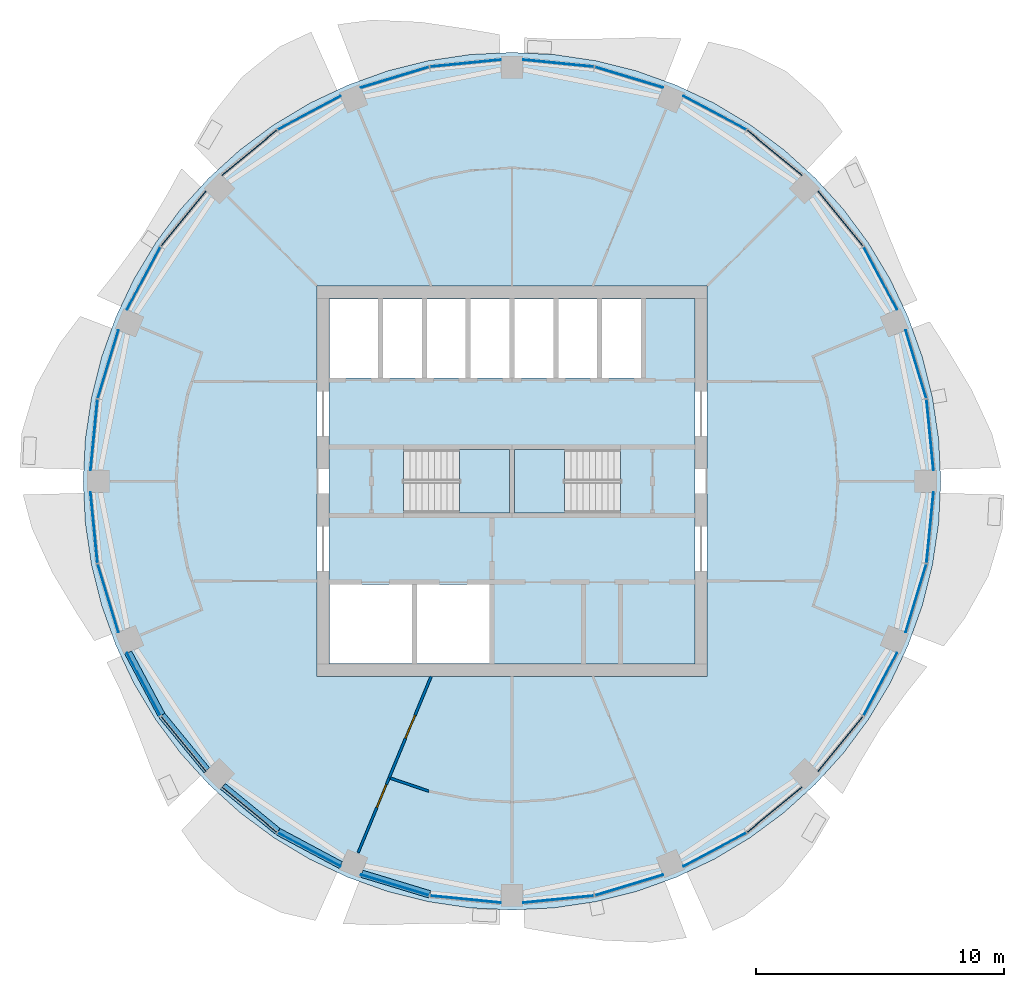
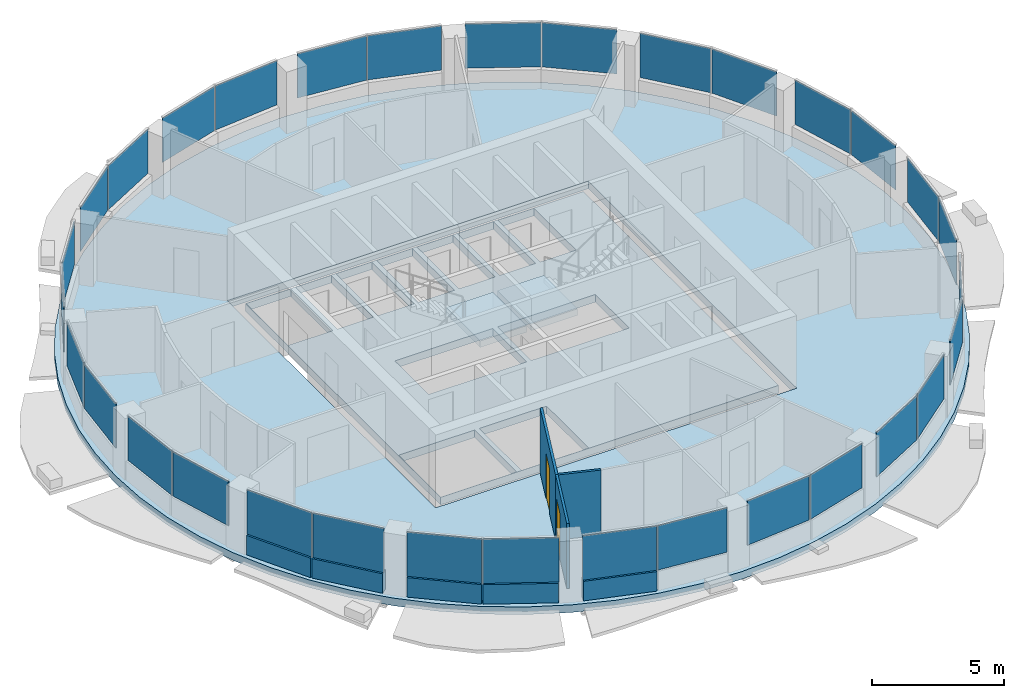
# One storey, part 7 of 15: 32 plates, 8 walls, 4 slabs, 2 doors, 2 openings, 18 elements without a shape of their own.
"""IFC4 building model written with IfcOpenShell, lengths in metres."""

from ifc_helpers import new_model, si_unit, direction, frame, frame_2d, origin, origin_2d, place, context, subcontext, project, spatial, polyline, rectangle, outline, extrude, material, layer, layer_set, type_object, element, fill, aggregate, save


model = new_model("IFC4")

# Units and contexts
model_context = context("Model", 3, precision=1e-05, world=origin(), true_north=direction((0.0, 1.0)))
body_context = subcontext(model_context, "Body", "Model", "MODEL_VIEW")
ifc_project = project(units=[si_unit("LENGTHUNIT", "METRE"), si_unit("AREAUNIT", "SQUARE_METRE"), si_unit("VOLUMEUNIT", "CUBIC_METRE"), si_unit("PLANEANGLEUNIT", "RADIAN"), si_unit("MASSUNIT", "GRAM", prefix="KILO")], contexts=[model_context])

# Site, building, storey
site_placement = place(None, origin())
site = spatial("IfcSite", under=ifc_project, at=site_placement, CompositionType="ELEMENT")
building_placement = place(site_placement, origin())
building = spatial("IfcBuilding", under=site, at=building_placement, Name="Polderwave Tower", CompositionType="ELEMENT")
storey_placement = place(building_placement, frame((0.0, 0.0, 201.050048828125)))
storey = spatial("IfcBuildingStorey", under=building, at=storey_placement, Name="L54", CompositionType="ELEMENT", Elevation=201.050048828125)

# Slab
ifc_material_1 = material(Name="Concrete C40/50", Category="concrete")
ifc_layer_1 = layer(ifc_material_1, 0.35009765625)
ifc_layer_set_1 = layer_set([ifc_layer_1], Name="Core floor slab 350")
slab_type_1 = type_object("IfcSlabType", Name="Core floor slab 350", PredefinedType="FLOOR", material=ifc_layer_set_1)
slab_1_placement = place(storey_placement, frame((0.0, 0.0, -0.35009765625)))
element("IfcSlab", 1, at=slab_1_placement, inside=storey, type_object=slab_type_1, Name="L54 core floor", PredefinedType="FLOOR", context=body_context, shape_type="SweptSolid", body=[
    extrude(outline(polyline([(-7.3740234375, -7.3740234375), (7.3740234375, -7.3740234375), (7.3740234375, 7.3740234375), (-7.3740234375, 7.3740234375), (-7.3740234375, -7.3740234375)]), holes=[polyline([(-7.35400390625, -7.35400390625), (-4.037109375, -7.35400390625), (-4.037109375, -4.174072265625), (-7.35400390625, -4.174072265625), (-7.35400390625, -7.35400390625)]), polyline([(-3.8369140625, -7.35400390625), (-0.89990234375, -7.35400390625), (-0.89990234375, -4.174072265625), (-3.8369140625, -4.174072265625), (-3.8369140625, -7.35400390625)]), polyline([(-7.35400390625, 4.174072265625), (-5.405517578125, 4.174072265625), (-5.405517578125, 7.35400390625), (-7.35400390625, 7.35400390625), (-7.35400390625, 4.174072265625)]), polyline([(-5.20556640625, 4.174072265625), (-3.636962890625, 4.174072265625), (-3.636962890625, 7.35400390625), (-5.20556640625, 7.35400390625), (-5.20556640625, 4.174072265625)]), polyline([(-3.43701171875, 4.174072265625), (-1.868408203125, 4.174072265625), (-1.868408203125, 7.35400390625), (-3.43701171875, 7.35400390625), (-3.43701171875, 4.174072265625)]), polyline([(-1.66845703125, 4.174072265625), (-0.10009765625, 4.174072265625), (-0.10009765625, 7.35400390625), (-1.66845703125, 7.35400390625), (-1.66845703125, 4.174072265625)]), polyline([(0.10009765625, 4.174072265625), (1.66845703125, 4.174072265625), (1.66845703125, 7.35400390625), (0.10009765625, 7.35400390625), (0.10009765625, 4.174072265625)]), polyline([(1.868408203125, 4.174072265625), (3.43701171875, 4.174072265625), (3.43701171875, 7.35400390625), (1.868408203125, 7.35400390625), (1.868408203125, 4.174072265625)]), polyline([(3.636962890625, 4.174072265625), (5.20556640625, 4.174072265625), (5.20556640625, 7.35400390625), (3.636962890625, 7.35400390625), (3.636962890625, 4.174072265625)]), polyline([(-4.37353515625, -1.2744140625), (-0.1005859375, -1.2744140625), (-0.1005859375, 1.2744140625), (-4.37353515625, 1.2744140625), (-4.37353515625, -1.2744140625)]), polyline([(0.1005859375, -1.2744140625), (4.37353515625, -1.2744140625), (4.37353515625, 1.2744140625), (0.1005859375, 1.2744140625), (0.1005859375, -1.2744140625)])]), origin(), (0.0, 0.0, 1.0), 0.35009765625),
])

# Curtain wall, plates
ifc_material_2 = material(Name="Aluminium 6063-T6 and glass", Category="aluminium")
curtain_wall_type = type_object("IfcCurtainWallType", Name="Office ribbon glazing wall", PredefinedType="NOTDEFINED", material=ifc_material_2)
curtain_wall_1_placement = place(storey_placement, origin())
curtain_wall_1 = element("IfcCurtainWall", 2, at=curtain_wall_1_placement, inside=storey, type_object=curtain_wall_type, Name="CW3 L54 00", PredefinedType="NOTDEFINED")
ifc_material_3 = material(Name="Glass, low-e laminated double glazing", Category="glass")
ifc_layer_2 = layer(ifc_material_3, 0.031982421875)
ifc_layer_set_2 = layer_set([ifc_layer_2], Name="Office ribbon glazing glass panel 32 mm")
plate_type = type_object("IfcPlateType", Name="Office ribbon glazing glass panel 32 mm", PredefinedType="CURTAIN_PANEL", material=ifc_layer_set_2)
plate_1_placement = place(storey_placement, frame((16.865478515625, 1.874267578125, 0.89990234375), z_axis=(0.0, 0.0, 1.0), x_axis=(-0.098270728197, 0.995159717824, 0.0)))
plate_1 = element("IfcPlate", 3, at=plate_1_placement, type_object=plate_type, Name="CW3 panel 1", PredefinedType="CURTAIN_PANEL", context=body_context, shape_type="SweptSolid", body=[
    extrude(rectangle(XDim=2.862548828125, YDim=0.031982421875, at=origin_2d()), origin(), (0.0, 0.0, 1.0), 2.0400390625),
])
plate_2_placement = place(storey_placement, frame((16.298583984375, 4.72216796875, 0.89990234375), z_axis=(0.0, 0.0, 1.0), x_axis=(-0.290266305265, 0.956945908622, 0.0)))
plate_2 = element("IfcPlate", 4, at=plate_2_placement, type_object=plate_type, Name="CW3 panel 2", PredefinedType="CURTAIN_PANEL", context=body_context, shape_type="SweptSolid", body=[
    extrude(rectangle(XDim=2.86279296875, YDim=0.031982421875, at=origin_2d()), origin(), (0.0, 0.0, 1.0), 2.0400390625),
])
aggregate(curtain_wall_1, [plate_1, plate_2])

curtain_wall_2_placement = place(storey_placement, origin())
curtain_wall_2 = element("IfcCurtainWall", 5, at=curtain_wall_2_placement, inside=storey, type_object=curtain_wall_type, Name="CW3 L54 01", PredefinedType="NOTDEFINED")
plate_3_placement = place(storey_placement, frame((14.864501953125, 8.185791015625, 0.89990234375), z_axis=(0.0, 0.0, 1.0), x_axis=(-0.471413668412, 0.881912214018, 0.0)))
plate_3 = element("IfcPlate", 6, at=plate_3_placement, type_object=plate_type, Name="CW3 panel 1", PredefinedType="CURTAIN_PANEL", context=body_context, shape_type="SweptSolid", body=[
    extrude(rectangle(XDim=2.86181640625, YDim=0.031982421875, at=origin_2d()), origin(), (0.0, 0.0, 1.0), 2.0400390625),
])
plate_4_placement = place(storey_placement, frame((13.251220703125, 10.60009765625, 0.89990234375), z_axis=(0.0, 0.0, 1.0), x_axis=(-0.634348760905, 0.773046990511, 0.0)))
plate_4 = element("IfcPlate", 7, at=plate_4_placement, type_object=plate_type, Name="CW3 panel 2", PredefinedType="CURTAIN_PANEL", context=body_context, shape_type="SweptSolid", body=[
    extrude(rectangle(XDim=2.86376953125, YDim=0.031982421875, at=origin_2d()), origin(), (0.0, 0.0, 1.0), 2.0400390625),
])
aggregate(curtain_wall_2, [plate_3, plate_4])

curtain_wall_3_placement = place(storey_placement, origin())
curtain_wall_3 = element("IfcCurtainWall", 8, at=curtain_wall_3_placement, inside=storey, type_object=curtain_wall_type, Name="CW3 L54 02", PredefinedType="NOTDEFINED")
plate_5_placement = place(storey_placement, frame((10.60009765625, 13.251220703125, 0.89990234375), z_axis=(0.0, 0.0, 1.0), x_axis=(-0.773046990511, 0.634348760905, 0.0)))
plate_5 = element("IfcPlate", 9, at=plate_5_placement, type_object=plate_type, Name="CW3 panel 1", PredefinedType="CURTAIN_PANEL", context=body_context, shape_type="SweptSolid", body=[
    extrude(rectangle(XDim=2.86376953125, YDim=0.031982421875, at=origin_2d()), origin(), (0.0, 0.0, 1.0), 2.0400390625),
])
plate_6_placement = place(storey_placement, frame((8.185791015625, 14.864501953125, 0.89990234375), z_axis=(0.0, 0.0, 1.0), x_axis=(-0.881912214018, 0.471413668412, 0.0)))
plate_6 = element("IfcPlate", 10, at=plate_6_placement, type_object=plate_type, Name="CW3 panel 2", PredefinedType="CURTAIN_PANEL", context=body_context, shape_type="SweptSolid", body=[
    extrude(rectangle(XDim=2.86181640625, YDim=0.031982421875, at=origin_2d()), origin(), (0.0, 0.0, 1.0), 2.0400390625),
])
aggregate(curtain_wall_3, [plate_5, plate_6])

curtain_wall_4_placement = place(storey_placement, origin())
curtain_wall_4 = element("IfcCurtainWall", 11, at=curtain_wall_4_placement, inside=storey, type_object=curtain_wall_type, Name="CW3 L54 03", PredefinedType="NOTDEFINED")
plate_7_placement = place(storey_placement, frame((4.72216796875, 16.298583984375, 0.89990234375), z_axis=(0.0, 0.0, 1.0), x_axis=(-0.956945908622, 0.290266305265, 0.0)))
plate_7 = element("IfcPlate", 12, at=plate_7_placement, type_object=plate_type, Name="CW3 panel 1", PredefinedType="CURTAIN_PANEL", context=body_context, shape_type="SweptSolid", body=[
    extrude(rectangle(XDim=2.86279296875, YDim=0.031982421875, at=origin_2d()), origin(), (0.0, 0.0, 1.0), 2.0400390625),
])
plate_8_placement = place(storey_placement, frame((1.874267578125, 16.865478515625, 0.89990234375), z_axis=(0.0, 0.0, 1.0), x_axis=(-0.995159717824, 0.098270728197, 0.0)))
plate_8 = element("IfcPlate", 13, at=plate_8_placement, type_object=plate_type, Name="CW3 panel 2", PredefinedType="CURTAIN_PANEL", context=body_context, shape_type="SweptSolid", body=[
    extrude(rectangle(XDim=2.862548828125, YDim=0.031982421875, at=origin_2d()), origin(), (0.0, 0.0, 1.0), 2.0400390625),
])
aggregate(curtain_wall_4, [plate_7, plate_8])

curtain_wall_5_placement = place(storey_placement, origin())
curtain_wall_5 = element("IfcCurtainWall", 14, at=curtain_wall_5_placement, inside=storey, type_object=curtain_wall_type, Name="CW3 L54 04", PredefinedType="NOTDEFINED")
plate_9_placement = place(storey_placement, frame((-1.874267578125, 16.865478515625, 0.89990234375), z_axis=(0.0, 0.0, 1.0), x_axis=(-0.995159717824, -0.098270728197, 0.0)))
plate_9 = element("IfcPlate", 15, at=plate_9_placement, type_object=plate_type, Name="CW3 panel 1", PredefinedType="CURTAIN_PANEL", context=body_context, shape_type="SweptSolid", body=[
    extrude(rectangle(XDim=2.862548828125, YDim=0.031982421875, at=origin_2d()), origin(), (0.0, 0.0, 1.0), 2.0400390625),
])
plate_10_placement = place(storey_placement, frame((-4.72216796875, 16.298583984375, 0.89990234375), z_axis=(0.0, 0.0, 1.0), x_axis=(-0.956945908622, -0.290266305265, 0.0)))
plate_10 = element("IfcPlate", 16, at=plate_10_placement, type_object=plate_type, Name="CW3 panel 2", PredefinedType="CURTAIN_PANEL", context=body_context, shape_type="SweptSolid", body=[
    extrude(rectangle(XDim=2.86279296875, YDim=0.031982421875, at=origin_2d()), origin(), (0.0, 0.0, 1.0), 2.0400390625),
])
aggregate(curtain_wall_5, [plate_9, plate_10])

curtain_wall_6_placement = place(storey_placement, origin())
curtain_wall_6 = element("IfcCurtainWall", 17, at=curtain_wall_6_placement, inside=storey, type_object=curtain_wall_type, Name="CW3 L54 05", PredefinedType="NOTDEFINED")
plate_11_placement = place(storey_placement, frame((-8.185791015625, 14.864501953125, 0.89990234375), z_axis=(0.0, 0.0, 1.0), x_axis=(-0.881912214018, -0.471413668412, 0.0)))
plate_11 = element("IfcPlate", 18, at=plate_11_placement, type_object=plate_type, Name="CW3 panel 1", PredefinedType="CURTAIN_PANEL", context=body_context, shape_type="SweptSolid", body=[
    extrude(rectangle(XDim=2.86181640625, YDim=0.031982421875, at=origin_2d()), origin(), (0.0, 0.0, 1.0), 2.0400390625),
])
plate_12_placement = place(storey_placement, frame((-10.60009765625, 13.251220703125, 0.89990234375), z_axis=(0.0, 0.0, 1.0), x_axis=(-0.773046990511, -0.634348760905, 0.0)))
plate_12 = element("IfcPlate", 19, at=plate_12_placement, type_object=plate_type, Name="CW3 panel 2", PredefinedType="CURTAIN_PANEL", context=body_context, shape_type="SweptSolid", body=[
    extrude(rectangle(XDim=2.86376953125, YDim=0.031982421875, at=origin_2d()), origin(), (0.0, 0.0, 1.0), 2.0400390625),
])
aggregate(curtain_wall_6, [plate_11, plate_12])

curtain_wall_7_placement = place(storey_placement, origin())
curtain_wall_7 = element("IfcCurtainWall", 20, at=curtain_wall_7_placement, inside=storey, type_object=curtain_wall_type, Name="CW3 L54 06", PredefinedType="NOTDEFINED")
plate_13_placement = place(storey_placement, frame((-13.251220703125, 10.60009765625, 0.89990234375), z_axis=(0.0, 0.0, 1.0), x_axis=(-0.634348760905, -0.773046990511, 0.0)))
plate_13 = element("IfcPlate", 21, at=plate_13_placement, type_object=plate_type, Name="CW3 panel 1", PredefinedType="CURTAIN_PANEL", context=body_context, shape_type="SweptSolid", body=[
    extrude(rectangle(XDim=2.86376953125, YDim=0.031982421875, at=origin_2d()), origin(), (0.0, 0.0, 1.0), 2.0400390625),
])
plate_14_placement = place(storey_placement, frame((-14.864501953125, 8.185791015625, 0.89990234375), z_axis=(0.0, 0.0, 1.0), x_axis=(-0.471413668412, -0.881912214018, 0.0)))
plate_14 = element("IfcPlate", 22, at=plate_14_placement, type_object=plate_type, Name="CW3 panel 2", PredefinedType="CURTAIN_PANEL", context=body_context, shape_type="SweptSolid", body=[
    extrude(rectangle(XDim=2.86181640625, YDim=0.031982421875, at=origin_2d()), origin(), (0.0, 0.0, 1.0), 2.0400390625),
])
aggregate(curtain_wall_7, [plate_13, plate_14])

curtain_wall_8_placement = place(storey_placement, origin())
curtain_wall_8 = element("IfcCurtainWall", 23, at=curtain_wall_8_placement, inside=storey, type_object=curtain_wall_type, Name="CW3 L54 07", PredefinedType="NOTDEFINED")
plate_15_placement = place(storey_placement, frame((-16.298583984375, 4.72216796875, 0.89990234375), z_axis=(0.0, 0.0, 1.0), x_axis=(-0.290266305265, -0.956945908622, 0.0)))
plate_15 = element("IfcPlate", 24, at=plate_15_placement, type_object=plate_type, Name="CW3 panel 1", PredefinedType="CURTAIN_PANEL", context=body_context, shape_type="SweptSolid", body=[
    extrude(rectangle(XDim=2.86279296875, YDim=0.031982421875, at=origin_2d()), origin(), (0.0, 0.0, 1.0), 2.0400390625),
])
plate_16_placement = place(storey_placement, frame((-16.865478515625, 1.874267578125, 0.89990234375), z_axis=(0.0, 0.0, 1.0), x_axis=(-0.098270728197, -0.995159717824, 0.0)))
plate_16 = element("IfcPlate", 25, at=plate_16_placement, type_object=plate_type, Name="CW3 panel 2", PredefinedType="CURTAIN_PANEL", context=body_context, shape_type="SweptSolid", body=[
    extrude(rectangle(XDim=2.862548828125, YDim=0.031982421875, at=origin_2d()), origin(), (0.0, 0.0, 1.0), 2.0400390625),
])
aggregate(curtain_wall_8, [plate_15, plate_16])

curtain_wall_9_placement = place(storey_placement, origin())
curtain_wall_9 = element("IfcCurtainWall", 26, at=curtain_wall_9_placement, inside=storey, type_object=curtain_wall_type, Name="CW3 L54 08", PredefinedType="NOTDEFINED")
plate_17_placement = place(storey_placement, frame((-16.865478515625, -1.874267578125, 0.89990234375), z_axis=(0.0, 0.0, 1.0), x_axis=(0.098270728197, -0.995159717824, 0.0)))
plate_17 = element("IfcPlate", 27, at=plate_17_placement, type_object=plate_type, Name="CW3 panel 1", PredefinedType="CURTAIN_PANEL", context=body_context, shape_type="SweptSolid", body=[
    extrude(rectangle(XDim=2.862548828125, YDim=0.031982421875, at=origin_2d()), origin(), (0.0, 0.0, 1.0), 2.0400390625),
])
plate_18_placement = place(storey_placement, frame((-16.298583984375, -4.72216796875, 0.89990234375), z_axis=(0.0, 0.0, 1.0), x_axis=(0.290266305265, -0.956945908622, 0.0)))
plate_18 = element("IfcPlate", 28, at=plate_18_placement, type_object=plate_type, Name="CW3 panel 2", PredefinedType="CURTAIN_PANEL", context=body_context, shape_type="SweptSolid", body=[
    extrude(rectangle(XDim=2.86279296875, YDim=0.031982421875, at=origin_2d()), origin(), (0.0, 0.0, 1.0), 2.0400390625),
])
aggregate(curtain_wall_9, [plate_17, plate_18])

curtain_wall_10_placement = place(storey_placement, origin())
curtain_wall_10 = element("IfcCurtainWall", 29, at=curtain_wall_10_placement, inside=storey, type_object=curtain_wall_type, Name="CW3 L54 09", PredefinedType="NOTDEFINED")
plate_19_placement = place(storey_placement, frame((-14.864501953125, -8.185791015625, 0.89990234375), z_axis=(0.0, 0.0, 1.0), x_axis=(0.471413668412, -0.881912214018, 0.0)))
plate_19 = element("IfcPlate", 30, at=plate_19_placement, type_object=plate_type, Name="CW3 panel 1", PredefinedType="CURTAIN_PANEL", context=body_context, shape_type="SweptSolid", body=[
    extrude(rectangle(XDim=2.86181640625, YDim=0.031982421875, at=origin_2d()), origin(), (0.0, 0.0, 1.0), 2.0400390625),
])
plate_20_placement = place(storey_placement, frame((-13.251220703125, -10.60009765625, 0.89990234375), z_axis=(0.0, 0.0, 1.0), x_axis=(0.634348760905, -0.773046990511, 0.0)))
plate_20 = element("IfcPlate", 31, at=plate_20_placement, type_object=plate_type, Name="CW3 panel 2", PredefinedType="CURTAIN_PANEL", context=body_context, shape_type="SweptSolid", body=[
    extrude(rectangle(XDim=2.86376953125, YDim=0.031982421875, at=origin_2d()), origin(), (0.0, 0.0, 1.0), 2.0400390625),
])
aggregate(curtain_wall_10, [plate_19, plate_20])

curtain_wall_11_placement = place(storey_placement, origin())
curtain_wall_11 = element("IfcCurtainWall", 32, at=curtain_wall_11_placement, inside=storey, type_object=curtain_wall_type, Name="CW3 L54 10", PredefinedType="NOTDEFINED")
plate_21_placement = place(storey_placement, frame((-10.60009765625, -13.251220703125, 0.89990234375), z_axis=(0.0, 0.0, 1.0), x_axis=(0.773046990511, -0.634348760905, 0.0)))
plate_21 = element("IfcPlate", 33, at=plate_21_placement, type_object=plate_type, Name="CW3 panel 1", PredefinedType="CURTAIN_PANEL", context=body_context, shape_type="SweptSolid", body=[
    extrude(rectangle(XDim=2.86376953125, YDim=0.031982421875, at=origin_2d()), origin(), (0.0, 0.0, 1.0), 2.0400390625),
])
plate_22_placement = place(storey_placement, frame((-8.185791015625, -14.864501953125, 0.89990234375), z_axis=(0.0, 0.0, 1.0), x_axis=(0.881912214018, -0.471413668412, 0.0)))
plate_22 = element("IfcPlate", 34, at=plate_22_placement, type_object=plate_type, Name="CW3 panel 2", PredefinedType="CURTAIN_PANEL", context=body_context, shape_type="SweptSolid", body=[
    extrude(rectangle(XDim=2.86181640625, YDim=0.031982421875, at=origin_2d()), origin(), (0.0, 0.0, 1.0), 2.0400390625),
])
aggregate(curtain_wall_11, [plate_21, plate_22])

curtain_wall_12_placement = place(storey_placement, origin())
curtain_wall_12 = element("IfcCurtainWall", 35, at=curtain_wall_12_placement, inside=storey, type_object=curtain_wall_type, Name="CW3 L54 11", PredefinedType="NOTDEFINED")
plate_23_placement = place(storey_placement, frame((-4.72216796875, -16.298583984375, 0.89990234375), z_axis=(0.0, 0.0, 1.0), x_axis=(0.956945908622, -0.290266305265, 0.0)))
plate_23 = element("IfcPlate", 36, at=plate_23_placement, type_object=plate_type, Name="CW3 panel 1", PredefinedType="CURTAIN_PANEL", context=body_context, shape_type="SweptSolid", body=[
    extrude(rectangle(XDim=2.86279296875, YDim=0.031982421875, at=origin_2d()), origin(), (0.0, 0.0, 1.0), 2.0400390625),
])
plate_24_placement = place(storey_placement, frame((-1.874267578125, -16.865478515625, 0.89990234375), z_axis=(0.0, 0.0, 1.0), x_axis=(0.995159717824, -0.098270728197, 0.0)))
plate_24 = element("IfcPlate", 37, at=plate_24_placement, type_object=plate_type, Name="CW3 panel 2", PredefinedType="CURTAIN_PANEL", context=body_context, shape_type="SweptSolid", body=[
    extrude(rectangle(XDim=2.862548828125, YDim=0.031982421875, at=origin_2d()), origin(), (0.0, 0.0, 1.0), 2.0400390625),
])
aggregate(curtain_wall_12, [plate_23, plate_24])

curtain_wall_13_placement = place(storey_placement, origin())
curtain_wall_13 = element("IfcCurtainWall", 38, at=curtain_wall_13_placement, inside=storey, type_object=curtain_wall_type, Name="CW3 L54 12", PredefinedType="NOTDEFINED")
plate_25_placement = place(storey_placement, frame((1.874267578125, -16.865478515625, 0.89990234375), z_axis=(0.0, 0.0, 1.0), x_axis=(0.995159717824, 0.098270728197, 0.0)))
plate_25 = element("IfcPlate", 39, at=plate_25_placement, type_object=plate_type, Name="CW3 panel 1", PredefinedType="CURTAIN_PANEL", context=body_context, shape_type="SweptSolid", body=[
    extrude(rectangle(XDim=2.862548828125, YDim=0.031982421875, at=origin_2d()), origin(), (0.0, 0.0, 1.0), 2.0400390625),
])
plate_26_placement = place(storey_placement, frame((4.72216796875, -16.298583984375, 0.89990234375), z_axis=(0.0, 0.0, 1.0), x_axis=(0.956945908622, 0.290266305265, 0.0)))
plate_26 = element("IfcPlate", 40, at=plate_26_placement, type_object=plate_type, Name="CW3 panel 2", PredefinedType="CURTAIN_PANEL", context=body_context, shape_type="SweptSolid", body=[
    extrude(rectangle(XDim=2.86279296875, YDim=0.031982421875, at=origin_2d()), origin(), (0.0, 0.0, 1.0), 2.0400390625),
])
aggregate(curtain_wall_13, [plate_25, plate_26])

curtain_wall_14_placement = place(storey_placement, origin())
curtain_wall_14 = element("IfcCurtainWall", 41, at=curtain_wall_14_placement, inside=storey, type_object=curtain_wall_type, Name="CW3 L54 13", PredefinedType="NOTDEFINED")
plate_27_placement = place(storey_placement, frame((8.185791015625, -14.864501953125, 0.89990234375), z_axis=(0.0, 0.0, 1.0), x_axis=(0.881912214018, 0.471413668412, 0.0)))
plate_27 = element("IfcPlate", 42, at=plate_27_placement, type_object=plate_type, Name="CW3 panel 1", PredefinedType="CURTAIN_PANEL", context=body_context, shape_type="SweptSolid", body=[
    extrude(rectangle(XDim=2.86181640625, YDim=0.031982421875, at=origin_2d()), origin(), (0.0, 0.0, 1.0), 2.0400390625),
])
plate_28_placement = place(storey_placement, frame((10.60009765625, -13.251220703125, 0.89990234375), z_axis=(0.0, 0.0, 1.0), x_axis=(0.773046990511, 0.634348760905, 0.0)))
plate_28 = element("IfcPlate", 43, at=plate_28_placement, type_object=plate_type, Name="CW3 panel 2", PredefinedType="CURTAIN_PANEL", context=body_context, shape_type="SweptSolid", body=[
    extrude(rectangle(XDim=2.86376953125, YDim=0.031982421875, at=origin_2d()), origin(), (0.0, 0.0, 1.0), 2.0400390625),
])
aggregate(curtain_wall_14, [plate_27, plate_28])

curtain_wall_15_placement = place(storey_placement, origin())
curtain_wall_15 = element("IfcCurtainWall", 44, at=curtain_wall_15_placement, inside=storey, type_object=curtain_wall_type, Name="CW3 L54 14", PredefinedType="NOTDEFINED")
plate_29_placement = place(storey_placement, frame((13.251220703125, -10.60009765625, 0.89990234375), z_axis=(0.0, 0.0, 1.0), x_axis=(0.634348760905, 0.773046990511, 0.0)))
plate_29 = element("IfcPlate", 45, at=plate_29_placement, type_object=plate_type, Name="CW3 panel 1", PredefinedType="CURTAIN_PANEL", context=body_context, shape_type="SweptSolid", body=[
    extrude(rectangle(XDim=2.86376953125, YDim=0.031982421875, at=origin_2d()), origin(), (0.0, 0.0, 1.0), 2.0400390625),
])
plate_30_placement = place(storey_placement, frame((14.864501953125, -8.185791015625, 0.89990234375), z_axis=(0.0, 0.0, 1.0), x_axis=(0.471413668412, 0.881912214018, 0.0)))
plate_30 = element("IfcPlate", 46, at=plate_30_placement, type_object=plate_type, Name="CW3 panel 2", PredefinedType="CURTAIN_PANEL", context=body_context, shape_type="SweptSolid", body=[
    extrude(rectangle(XDim=2.86181640625, YDim=0.031982421875, at=origin_2d()), origin(), (0.0, 0.0, 1.0), 2.0400390625),
])
aggregate(curtain_wall_15, [plate_29, plate_30])

curtain_wall_16_placement = place(storey_placement, origin())
curtain_wall_16 = element("IfcCurtainWall", 47, at=curtain_wall_16_placement, inside=storey, type_object=curtain_wall_type, Name="CW3 L54 15", PredefinedType="NOTDEFINED")
plate_31_placement = place(storey_placement, frame((16.298583984375, -4.72216796875, 0.89990234375), z_axis=(0.0, 0.0, 1.0), x_axis=(0.290266305265, 0.956945908622, 0.0)))
plate_31 = element("IfcPlate", 48, at=plate_31_placement, type_object=plate_type, Name="CW3 panel 1", PredefinedType="CURTAIN_PANEL", context=body_context, shape_type="SweptSolid", body=[
    extrude(rectangle(XDim=2.86279296875, YDim=0.031982421875, at=origin_2d()), origin(), (0.0, 0.0, 1.0), 2.0400390625),
])
plate_32_placement = place(storey_placement, frame((16.865478515625, -1.874267578125, 0.89990234375), z_axis=(0.0, 0.0, 1.0), x_axis=(0.098270728197, 0.995159717824, 0.0)))
plate_32 = element("IfcPlate", 49, at=plate_32_placement, type_object=plate_type, Name="CW3 panel 2", PredefinedType="CURTAIN_PANEL", context=body_context, shape_type="SweptSolid", body=[
    extrude(rectangle(XDim=2.862548828125, YDim=0.031982421875, at=origin_2d()), origin(), (0.0, 0.0, 1.0), 2.0400390625),
])
aggregate(curtain_wall_16, [plate_31, plate_32])

# Slab
ifc_layer_3 = layer(ifc_material_1, 0.35009765625)
ifc_layer_set_3 = layer_set([ifc_layer_3], Name="PT FLOOR SLAB 350 C40/50")
slab_type_2 = type_object("IfcSlabType", Name="PT FLOOR SLAB 350 C40/50", PredefinedType="FLOOR", material=ifc_layer_set_3)
slab_2_placement = place(storey_placement, frame((0.0, 0.0, -0.35009765625)))
element("IfcSlab", 50, at=slab_2_placement, inside=storey, type_object=slab_type_2, Name="ST-SLAB-L54", PredefinedType="FLOOR", context=body_context, shape_type="SweptSolid", body=[
    extrude(outline(polyline([(17.300048828125, 0.0), (17.216796875, 1.69580078125), (16.967529296875, 3.375), (16.55517578125, 5.02197265625), (15.983154296875, 6.620361328125), (15.257080078125, 8.1552734375), (14.384521484375, 9.611328125), (13.373046875, 10.97509765625), (12.23291015625, 12.23291015625), (10.97509765625, 13.373046875), (9.611328125, 14.384521484375), (8.1552734375, 15.257080078125), (6.620361328125, 15.983154296875), (5.02197265625, 16.55517578125), (3.375, 16.967529296875), (1.69580078125, 17.216796875), (0.0, 17.300048828125), (-1.69580078125, 17.216796875), (-3.375, 16.967529296875), (-5.02197265625, 16.55517578125), (-6.620361328125, 15.983154296875), (-8.1552734375, 15.257080078125), (-9.611328125, 14.384521484375), (-10.97509765625, 13.373046875), (-12.23291015625, 12.23291015625), (-13.373046875, 10.97509765625), (-14.384521484375, 9.611328125), (-15.257080078125, 8.1552734375), (-15.983154296875, 6.620361328125), (-16.55517578125, 5.02197265625), (-16.967529296875, 3.375), (-17.216796875, 1.69580078125), (-17.300048828125, 0.0), (-17.216796875, -1.69580078125), (-16.967529296875, -3.375), (-16.55517578125, -5.02197265625), (-15.983154296875, -6.620361328125), (-15.257080078125, -8.1552734375), (-14.384521484375, -9.611328125), (-13.373046875, -10.97509765625), (-12.23291015625, -12.23291015625), (-10.97509765625, -13.373046875), (-9.611328125, -14.384521484375), (-8.1552734375, -15.257080078125), (-6.620361328125, -15.983154296875), (-5.02197265625, -16.55517578125), (-3.375, -16.967529296875), (-1.69580078125, -17.216796875), (0.0, -17.300048828125), (1.69580078125, -17.216796875), (3.375, -16.967529296875), (5.02197265625, -16.55517578125), (6.620361328125, -15.983154296875), (8.1552734375, -15.257080078125), (9.611328125, -14.384521484375), (10.97509765625, -13.373046875), (12.23291015625, -12.23291015625), (13.373046875, -10.97509765625), (14.384521484375, -9.611328125), (15.257080078125, -8.1552734375), (15.983154296875, -6.620361328125), (16.55517578125, -5.02197265625), (16.967529296875, -3.375), (17.216796875, -1.69580078125), (17.300048828125, 0.0)]), holes=[polyline([(-7.8740234375, -7.8740234375), (7.8740234375, -7.8740234375), (7.8740234375, 7.8740234375), (-7.8740234375, 7.8740234375), (-7.8740234375, -7.8740234375)])]), origin(), (0.0, 0.0, 1.0), 0.35009765625),
])

# Stair, slab
stair_type = type_object("IfcStairType", Name="Exit stair 1200 x 20 risers", PredefinedType="HALF_TURN_STAIR", material=ifc_material_1)
stair_1_placement = place(storey_placement, origin())
stair_1 = element("IfcStair", 51, at=stair_1_placement, inside=storey, type_object=stair_type, Name="L54 Exit stair A", PredefinedType="HALF_TURN_STAIR")
ifc_layer_4 = layer(ifc_material_1, 0.300048828125)
ifc_layer_set_4 = layer_set([ifc_layer_4], Name="Stair landing 300")
slab_type_3 = type_object("IfcSlabType", Name="Stair landing 300", PredefinedType="LANDING", material=ifc_layer_set_4)
slab_3_placement = place(storey_placement, frame((0.0, 0.0, 1.375)))
slab_3 = element("IfcSlab", 52, at=slab_3_placement, type_object=slab_type_3, Name="ST-A landing 1", PredefinedType="LANDING", context=body_context, shape_type="SweptSolid", body=[
    extrude(outline(polyline([(-2.1240234375, -1.27490234375), (-0.10009765625, -1.27490234375), (-0.10009765625, 1.27490234375), (-2.1240234375, 1.27490234375), (-2.1240234375, -1.27490234375)])), origin(), (0.0, 0.0, 1.0), 0.300048828125),
])
aggregate(stair_1, [slab_3])

stair_2_placement = place(storey_placement, origin())
stair_2 = element("IfcStair", 53, at=stair_2_placement, inside=storey, type_object=stair_type, Name="L54 Exit stair B", PredefinedType="HALF_TURN_STAIR")
slab_4_placement = place(storey_placement, frame((0.0, 0.0, 1.375)))
slab_4 = element("IfcSlab", 54, at=slab_4_placement, type_object=slab_type_3, Name="ST-B landing 1", PredefinedType="LANDING", context=body_context, shape_type="SweptSolid", body=[
    extrude(outline(polyline([(2.1240234375, 1.27490234375), (0.10009765625, 1.27490234375), (0.10009765625, -1.27490234375), (2.1240234375, -1.27490234375), (2.1240234375, 1.27490234375)])), origin(), (0.0, 0.0, 1.0), 0.300048828125),
])
aggregate(stair_2, [slab_4])

# Walls
ifc_material_4 = material(Name="Concrete C50/60 (board-marked)", Category="concrete")
ifc_layer_5 = layer(ifc_material_4, 0.300048828125)
ifc_layer_set_5 = layer_set([ifc_layer_5], Name="Concrete spandrel upstand C50/60")
wall_type_1 = type_object("IfcWallType", Name="Concrete spandrel upstand C50/60", PredefinedType="SOLIDWALL", material=ifc_layer_set_5)
wall_1_placement = place(storey_placement, frame((-15.48583984375, -6.917236328125, 0.0), z_axis=(0.0, 0.0, 1.0), x_axis=(0.471441594872, -0.881897285756, 0.0)))
element("IfcWall", 55, at=wall_1_placement, inside=storey, type_object=wall_type_1, Name="Spandrel L54 10a", PredefinedType="SOLIDWALL", context=body_context, shape_type="SweptSolid", body=[
    extrude(rectangle(XDim=2.850341796875, YDim=0.300048828125, at=frame_2d((1.42529296875, 0.0))), origin(), (0.0, 0.0, 1.0), 0.89990234375),
])
for number, where, z_axis, x_axis, name in (
    (56, (-14.12548828125, -9.45556640625, 0.0), (0.0, 0.0, 1.0), (0.634146109242, -0.773213238462, 0.0), "Spandrel L54 10b"),
    (57, (-11.661376953125, -12.31640625, 0.0), (0.0, 0.0, 1.0), (0.773213238462, -0.634146109242, 0.0), "Spandrel L54 11a"),
):
    element("IfcWall", number, at=place(storey_placement, frame(where, z_axis=z_axis, x_axis=x_axis)), inside=storey, type_object=wall_type_1, Name=name, PredefinedType="SOLIDWALL", context=body_context, shape_type="SweptSolid", body=[
        extrude(rectangle(XDim=2.852783203125, YDim=0.300048828125, at=frame_2d((1.42626953125, 0.0))), origin(), (0.0, 0.0, 1.0), 0.89990234375),
    ])
wall_2_placement = place(storey_placement, frame((-9.430908203125, -14.14208984375, 0.0), z_axis=(0.0, 0.0, 1.0), x_axis=(0.881897285756, -0.471441594872, 0.0)))
element("IfcWall", 58, at=wall_2_placement, inside=storey, type_object=wall_type_1, Name="Spandrel L54 11b", PredefinedType="SOLIDWALL", context=body_context, shape_type="SweptSolid", body=[
    extrude(rectangle(XDim=2.850341796875, YDim=0.300048828125, at=frame_2d((1.42529296875, 0.0))), origin(), (0.0, 0.0, 1.0), 0.89990234375),
])
wall_3_placement = place(storey_placement, frame((-6.0595703125, -15.84033203125, 0.0), z_axis=(0.0, 0.0, 1.0), x_axis=(0.956895445627, -0.290432618929, 0.0)))
element("IfcWall", 59, at=wall_3_placement, inside=storey, type_object=wall_type_1, Name="Spandrel L54 12a", PredefinedType="SOLIDWALL", context=body_context, shape_type="SweptSolid", body=[
    extrude(rectangle(XDim=2.852294921875, YDim=0.300048828125, at=frame_2d((1.42626953125, 0.0))), origin(), (0.0, 0.0, 1.0), 0.89990234375),
])

# Wall, opening, door
ifc_material_5 = material(Name="Plasterboard on steel studs", Category="steel")
ifc_layer_6 = layer(ifc_material_5, 0.10009765625)
ifc_layer_set_6 = layer_set([ifc_layer_6], Name="Partition 100 mm plasterboard on steel studs")
wall_type_2 = type_object("IfcWallType", Name="Partition 100 mm plasterboard on steel studs", PredefinedType="PARTITIONING", material=ifc_layer_set_6)
wall_4_placement = place(storey_placement, frame((-4.955810546875, -11.964111328125, 0.0), z_axis=(0.0, 0.0, 1.0), x_axis=(-0.382626535499, -0.923903097912, 0.0)))
wall_4 = element("IfcWall", 60, at=wall_4_placement, inside=storey, type_object=wall_type_2, Name="IN-L54-W039", PredefinedType="PARTITIONING", context=body_context, shape_type="SweptSolid", body=[
    extrude(rectangle(XDim=3.27001953125, YDim=0.10009765625, at=frame_2d((1.635009765625, 0.0))), origin(), (0.0, 0.0, 1.0), 3.0),
])
opening_1_placement = place(wall_4_placement, frame((0.300048828125, 0.0, 0.0)))
opening_1 = element("IfcOpeningElement", 61, at=opening_1_placement, cuts=wall_4, Name="Opening L54-D64", PredefinedType="OPENING", context=body_context, shape_type="SweptSolid", body=[
    extrude(rectangle(XDim=1.0, YDim=2.10009765625, at=frame_2d((0.5, 1.050048828125))), frame((0.0, 0.06005859375, 0.0), z_axis=(0.0, -1.0, 0.0), x_axis=(1.0, 0.0, 0.0)), (0.0, 0.0, 1.0), 0.1201171875),
])
ifc_material_6 = material(Name="Timber veneer door leaf", Category="wood")
door_type = type_object("IfcDoorType", Name="Single door 1000 x 2100", OperationType="NOTDEFINED", PredefinedType="DOOR", material=ifc_material_6)
door_1_placement = place(opening_1_placement, origin())
door_1 = element("IfcDoor", 62, at=door_1_placement, inside=storey, type_object=door_type, Name="Door L54-D64", OperationType="SINGLE_SWING_LEFT", OverallHeight=2.10009765625, OverallWidth=1.0, PredefinedType="DOOR", context=body_context, shape_type="SweptSolid", body=[
    extrude(rectangle(XDim=1.0, YDim=2.10009765625, at=frame_2d((0.5, 1.050048828125))), frame((0.0, 0.02490234375, 0.0), z_axis=(0.0, -1.0, 0.0), x_axis=(1.0, 0.0, 0.0)), (0.0, 0.0, 1.0), 0.050048828125),
])
fill(opening_1, door_1)

ifc_material_7 = material(Name="Moisture-resistant board on steel studs, tiled", Category="steel")
ifc_layer_7 = layer(ifc_material_7, 0.10498046875)
ifc_layer_set_7 = layer_set([ifc_layer_7], Name="Partition 105 mm wet room board and tile")
wall_type_3 = type_object("IfcWallType", Name="Partition 105 mm wet room board and tile", PredefinedType="PARTITIONING", material=ifc_layer_set_7)
wall_5_placement = place(storey_placement, frame((-3.261474609375, -7.8740234375, 0.0), z_axis=(0.0, 0.0, 1.0), x_axis=(-0.38271544888, -0.923866270186, 0.0)))
wall_5 = element("IfcWall", 63, at=wall_5_placement, inside=storey, type_object=wall_type_3, Name="IN-L54-W038", PredefinedType="PARTITIONING", context=body_context, shape_type="SweptSolid", body=[
    extrude(rectangle(XDim=4.42724609375, YDim=0.10498046875, at=frame_2d((2.213623046875, 0.0))), origin(), (0.0, 0.0, 1.0), 3.0),
])
opening_2_placement = place(wall_5_placement, frame((1.699951171875, 0.0, 0.0)))
opening_2 = element("IfcOpeningElement", 64, at=opening_2_placement, cuts=wall_5, Name="Opening L54-D63", PredefinedType="OPENING", context=body_context, shape_type="SweptSolid", body=[
    extrude(rectangle(XDim=1.0, YDim=2.10009765625, at=frame_2d((0.5, 1.050048828125))), frame((0.0, 0.0625, 0.0), z_axis=(0.0, -1.0, 0.0), x_axis=(1.0, 0.0, 0.0)), (0.0, 0.0, 1.0), 0.125),
])
door_2_placement = place(opening_2_placement, origin())
door_2 = element("IfcDoor", 65, at=door_2_placement, inside=storey, type_object=door_type, Name="Door L54-D63", OperationType="SINGLE_SWING_LEFT", OverallHeight=2.10009765625, OverallWidth=1.0, PredefinedType="DOOR", context=body_context, shape_type="SweptSolid", body=[
    extrude(rectangle(XDim=1.0, YDim=2.10009765625, at=frame_2d((0.5, 1.050048828125))), frame((0.0, 0.02490234375, 0.0), z_axis=(0.0, -1.0, 0.0), x_axis=(1.0, 0.0, 0.0)), (0.0, 0.0, 1.0), 0.050048828125),
])
fill(opening_2, door_2)

# Wall
wall_6_placement = place(storey_placement, frame((-3.35498046875, -12.507568359375, 0.0), z_axis=(0.0, 0.0, 1.0), x_axis=(-0.946921060296, 0.321466181063, 0.0)))
element("IfcWall", 66, at=wall_6_placement, inside=storey, type_object=wall_type_3, Name="IN-L54-W040", PredefinedType="PARTITIONING", context=body_context, shape_type="SweptSolid", body=[
    extrude(rectangle(XDim=1.63427734375, YDim=0.10498046875, at=frame_2d((0.817138671875, 0.0))), origin(), (0.0, 0.0, 1.0), 3.0),
])

save(model, "model.ifc")
